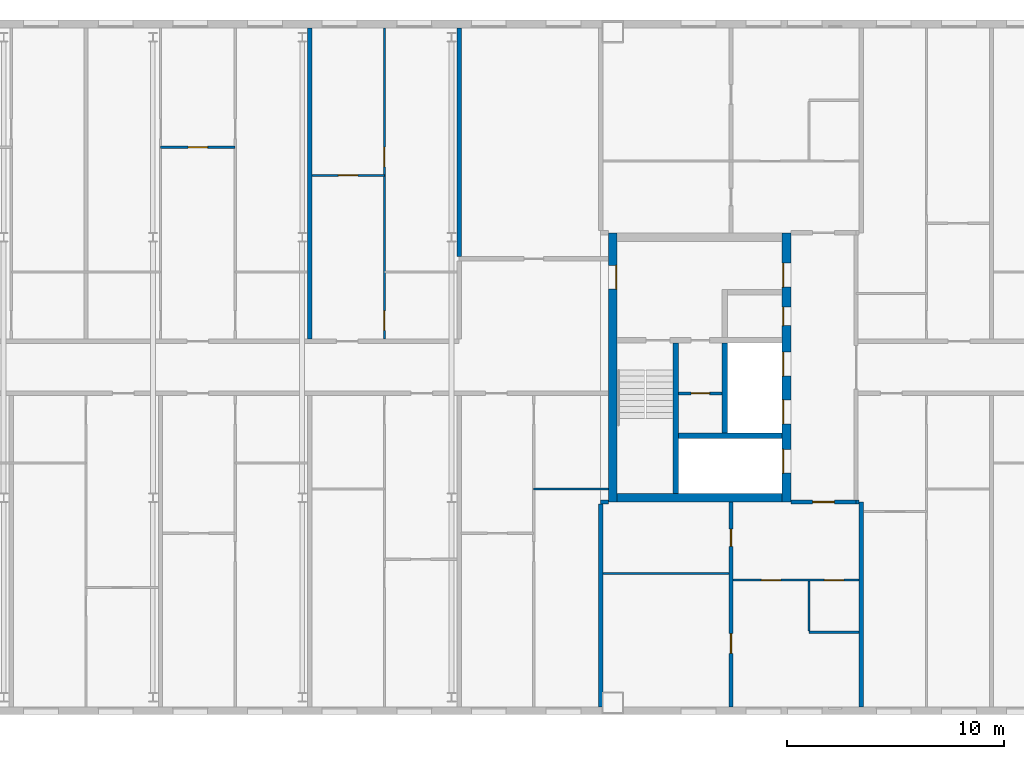
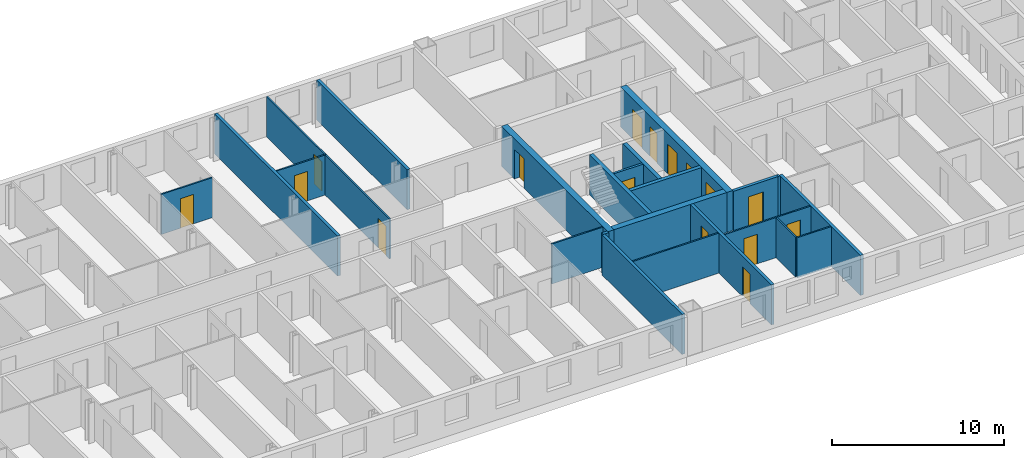
# One storey, part 13 of 19: 23 walls, 16 doors, 16 openings.
"""IFC4 building model written with IfcOpenShell, lengths in metres."""

from ifc_helpers import new_model, si_unit, direction, frame, frame_2d, origin, place, context, subcontext, project, spatial, rectangle, extrude, material, layer, layer_set, type_object, element, fill, save


model = new_model("IFC4")

# Units and contexts
model_context = context("Model", 3, precision=1e-05, world=origin(), true_north=direction((0.0, 1.0)))
body_context = subcontext(model_context, "Body", "Model", "MODEL_VIEW")
ifc_project = project(units=[si_unit("LENGTHUNIT", "METRE"), si_unit("AREAUNIT", "SQUARE_METRE"), si_unit("VOLUMEUNIT", "CUBIC_METRE"), si_unit("PLANEANGLEUNIT", "RADIAN"), si_unit("MASSUNIT", "GRAM", prefix="KILO")], contexts=[model_context])

# Site, building, storey
site_placement = place(None, origin())
site = spatial("IfcSite", under=ifc_project, at=site_placement, CompositionType="ELEMENT")
building_placement = place(site_placement, origin())
building = spatial("IfcBuilding", under=site, at=building_placement, Name="Tuart Gate Housing", CompositionType="ELEMENT")
storey_placement = place(building_placement, frame((0.0, 0.0, 221.39990234375)))
storey = spatial("IfcBuildingStorey", under=building, at=storey_placement, Name="L62", CompositionType="ELEMENT", Elevation=221.39990234375)

# Wall, opening, door
ifc_material_1 = material(Name="Plasterboard partition")
ifc_layer_1 = layer(ifc_material_1, 0.14990234375)
ifc_layer_set_1 = layer_set([ifc_layer_1], Name="Core partition 150")
wall_type_1 = type_object("IfcWallType", Name="Core partition 150", PredefinedType="PARTITIONING", material=ifc_layer_set_1)
wall_1_placement = place(storey_placement, frame((136.5849609375, 68.800048828125, 0.0), z_axis=(0.0, 0.0, 1.0), x_axis=(-1.0, 0.0, 0.0)))
wall_1 = element("IfcWall", 1, at=wall_1_placement, inside=storey, type_object=wall_type_1, Name="Core partition BG.2", PredefinedType="PARTITIONING", context=body_context, shape_type="SweptSolid", body=[
    extrude(rectangle(XDim=2.0, YDim=0.14990234375, at=frame_2d((1.0, 0.0))), origin(), (0.0, 0.0, 1.0), 2.85009765625),
])
opening_1_placement = place(wall_1_placement, frame((0.574951171875, 0.0, 0.0)))
opening_1 = element("IfcOpeningElement", 2, at=opening_1_placement, cuts=wall_1, Name="Opening D2421", PredefinedType="OPENING", context=body_context, shape_type="SweptSolid", body=[
    extrude(rectangle(XDim=0.85009765625, YDim=2.10009765625, at=frame_2d((0.425048828125, 1.050048828125))), frame((0.0, 0.0849609375, 0.0), z_axis=(0.0, -1.0, 0.0), x_axis=(1.0, 0.0, 0.0)), (0.0, 0.0, 1.0), 0.169921875),
])
ifc_material_2 = material(Name="Steel fire door", Category="steel")
door_type_1 = type_object("IfcDoorType", Name="Service door 850 x 2100 RH", OperationType="SINGLE_SWING_RIGHT", PredefinedType="DOOR", material=ifc_material_2)
door_1_placement = place(opening_1_placement, frame((0.85009765625, 0.0, 0.0), z_axis=(0.0, 0.0, 1.0), x_axis=(-1.0, 0.0, 0.0)))
door_1 = element("IfcDoor", 3, at=door_1_placement, inside=storey, type_object=door_type_1, Name="Service room door BG.W2", OperationType="SINGLE_SWING_RIGHT", OverallHeight=2.10009765625, OverallWidth=0.85009765625, PredefinedType="DOOR", context=body_context, shape_type="SweptSolid", body=[
    extrude(rectangle(XDim=0.85009765625, YDim=2.10009765625, at=frame_2d((0.425048828125, 1.050048828125))), frame((0.0, 0.025146484375, 0.0), z_axis=(0.0, -1.0, 0.0), x_axis=(1.0, 0.0, 0.0)), (0.0, 0.0, 1.0), 0.050048828125),
])
fill(opening_1, door_1)

# Walls
ifc_material_3 = material(Name="Concrete C40", Category="concrete")
ifc_layer_2 = layer(ifc_material_3, 0.25)
ifc_layer_set_2 = layer_set([ifc_layer_2], Name="Core wall 250 C40")
wall_type_2 = type_object("IfcWallType", Name="Core wall 250 C40", PredefinedType="SHEAR", material=ifc_layer_set_2)
wall_2_placement = place(storey_placement, frame((139.360107421875, 66.85009765625, 0.0), z_axis=(0.0, 0.0, 1.0), x_axis=(-1.0, 0.0, 0.0)))
element("IfcWall", 4, at=wall_2_placement, inside=storey, type_object=wall_type_2, Name="Core wall BG.1", PredefinedType="SHEAR", context=body_context, shape_type="SweptSolid", body=[
    extrude(rectangle(XDim=4.775146484375, YDim=0.25, at=frame_2d((2.3876953125, 0.0))), origin(), (0.0, 0.0, 1.0), 2.85009765625),
])
wall_3_placement = place(storey_placement, frame((136.7099609375, 66.97509765625, 0.0), z_axis=(0.0, 0.0, 1.0), x_axis=(0.0, 1.0, 0.0)))
element("IfcWall", 5, at=wall_3_placement, inside=storey, type_object=wall_type_2, Name="Core wall BG.5", PredefinedType="SHEAR", context=body_context, shape_type="SweptSolid", body=[
    extrude(rectangle(XDim=4.14990234375, YDim=0.25, at=frame_2d((2.074951171875, 0.0))), origin(), (0.0, 0.0, 1.0), 2.85009765625),
])
wall_4_placement = place(storey_placement, frame((134.4599609375, 64.199951171875, 0.0), z_axis=(0.0, 0.0, 1.0), x_axis=(0.0, 1.0, 0.0)))
element("IfcWall", 6, at=wall_4_placement, inside=storey, type_object=wall_type_2, Name="Core wall BG.7", PredefinedType="SHEAR", context=body_context, shape_type="SweptSolid", body=[
    extrude(rectangle(XDim=6.925048828125, YDim=0.25, at=frame_2d((3.46240234375, 0.0))), origin(), (0.0, 0.0, 1.0), 2.85009765625),
])

# Wall, openings, doors
ifc_material_4 = material(Name="Concrete C40", Category="concrete")
ifc_layer_3 = layer(ifc_material_4, 0.39990234375)
ifc_layer_set_3 = layer_set([ifc_layer_3], Name="Core wall 400 C40")
wall_type_3 = type_object("IfcWallType", Name="Core wall 400 C40", PredefinedType="SHEAR", material=ifc_layer_set_3)
wall_5_placement = place(storey_placement, frame((139.56005859375, 63.800048828125, 0.0), z_axis=(0.0, 0.0, 1.0), x_axis=(0.0, 1.0, 0.0)))
wall_5 = element("IfcWall", 7, at=wall_5_placement, inside=storey, type_object=wall_type_3, Name="Core wall BG front", PredefinedType="SHEAR", context=body_context, shape_type="SweptSolid", body=[
    extrude(rectangle(XDim=12.39990234375, YDim=0.39990234375, at=frame_2d((6.199951171875, 0.0))), origin(), (0.0, 0.0, 1.0), 2.85009765625),
])
opening_2_placement = place(wall_5_placement, frame((1.324951171875, 0.0, 0.0)))
opening_2 = element("IfcOpeningElement", 8, at=opening_2_placement, cuts=wall_5, Name="Opening LD-FB1", PredefinedType="OPENING", context=body_context, shape_type="SweptSolid", body=[
    extrude(rectangle(XDim=1.10009765625, YDim=2.10009765625, at=frame_2d((0.550048828125, 1.050048828125))), frame((0.0, 0.2099609375, 0.0), z_axis=(0.0, -1.0, 0.0), x_axis=(1.0, 0.0, 0.0)), (0.0, 0.0, 1.0), 0.419921875),
])
opening_3_placement = place(wall_5_placement, frame((3.60009765625, 0.0, 0.0)))
opening_3 = element("IfcOpeningElement", 9, at=opening_3_placement, cuts=wall_5, Name="Opening LD-LB1", PredefinedType="OPENING", context=body_context, shape_type="SweptSolid", body=[
    extrude(rectangle(XDim=1.10009765625, YDim=2.10009765625, at=frame_2d((0.550048828125, 1.050048828125))), frame((0.0, 0.2099609375, 0.0), z_axis=(0.0, -1.0, 0.0), x_axis=(1.0, 0.0, 0.0)), (0.0, 0.0, 1.0), 0.419921875),
])
opening_4_placement = place(wall_5_placement, frame((5.800048828125, 0.0, 0.0)))
opening_4 = element("IfcOpeningElement", 10, at=opening_4_placement, cuts=wall_5, Name="Opening LD-LB2", PredefinedType="OPENING", context=body_context, shape_type="SweptSolid", body=[
    extrude(rectangle(XDim=1.10009765625, YDim=2.10009765625, at=frame_2d((0.550048828125, 1.050048828125))), frame((0.0, 0.2099609375, 0.0), z_axis=(0.0, -1.0, 0.0), x_axis=(1.0, 0.0, 0.0)), (0.0, 0.0, 1.0), 0.419921875),
])
opening_5_placement = place(wall_5_placement, frame((9.89990234375, 0.0, 0.0)))
opening_5 = element("IfcOpeningElement", 11, at=opening_5_placement, cuts=wall_5, Name="Opening D2413", PredefinedType="OPENING", context=body_context, shape_type="SweptSolid", body=[
    extrude(rectangle(XDim=1.10009765625, YDim=2.10009765625, at=frame_2d((0.550048828125, 1.050048828125))), frame((0.0, 0.2099609375, 0.0), z_axis=(0.0, -1.0, 0.0), x_axis=(1.0, 0.0, 0.0)), (0.0, 0.0, 1.0), 0.419921875),
])
opening_6_placement = place(wall_5_placement, frame((8.125, 0.0, 0.0)))
opening_6 = element("IfcOpeningElement", 12, at=opening_6_placement, cuts=wall_5, Name="Opening D2414", PredefinedType="OPENING", context=body_context, shape_type="SweptSolid", body=[
    extrude(rectangle(XDim=0.85009765625, YDim=2.10009765625, at=frame_2d((0.425048828125, 1.050048828125))), frame((0.0, 0.2099609375, 0.0), z_axis=(0.0, -1.0, 0.0), x_axis=(1.0, 0.0, 0.0)), (0.0, 0.0, 1.0), 0.419921875),
])
ifc_material_5 = material(Name="Stainless steel", Category="steel")
door_type_2 = type_object("IfcDoorType", Name="Landing door 1100 x 2100", OperationType="DOUBLE_DOOR_SLIDING", PredefinedType="DOOR", material=ifc_material_5)
door_2_placement = place(opening_2_placement, origin())
door_2 = element("IfcDoor", 13, at=door_2_placement, inside=storey, type_object=door_type_2, Name="Lift landing door FB1", OperationType="DOUBLE_DOOR_SLIDING", OverallHeight=2.10009765625, OverallWidth=1.10009765625, PredefinedType="DOOR", context=body_context, shape_type="SweptSolid", body=[
    extrude(rectangle(XDim=1.10009765625, YDim=2.10009765625, at=frame_2d((0.550048828125, 1.050048828125))), frame((0.0, 0.18505859375, 0.0), z_axis=(0.0, -1.0, 0.0), x_axis=(1.0, 0.0, 0.0)), (0.0, 0.0, 1.0), 0.050048828125),
])
fill(opening_2, door_2)
door_3_placement = place(opening_3_placement, origin())
door_3 = element("IfcDoor", 14, at=door_3_placement, inside=storey, type_object=door_type_2, Name="Lift landing door LB1", OperationType="DOUBLE_DOOR_SLIDING", OverallHeight=2.10009765625, OverallWidth=1.10009765625, PredefinedType="DOOR", context=body_context, shape_type="SweptSolid", body=[
    extrude(rectangle(XDim=1.10009765625, YDim=2.10009765625, at=frame_2d((0.550048828125, 1.050048828125))), frame((0.0, 0.18505859375, 0.0), z_axis=(0.0, -1.0, 0.0), x_axis=(1.0, 0.0, 0.0)), (0.0, 0.0, 1.0), 0.050048828125),
])
fill(opening_3, door_3)
door_4_placement = place(opening_4_placement, origin())
door_4 = element("IfcDoor", 15, at=door_4_placement, inside=storey, type_object=door_type_2, Name="Lift landing door LB2", OperationType="DOUBLE_DOOR_SLIDING", OverallHeight=2.10009765625, OverallWidth=1.10009765625, PredefinedType="DOOR", context=body_context, shape_type="SweptSolid", body=[
    extrude(rectangle(XDim=1.10009765625, YDim=2.10009765625, at=frame_2d((0.550048828125, 1.050048828125))), frame((0.0, 0.18505859375, 0.0), z_axis=(0.0, -1.0, 0.0), x_axis=(1.0, 0.0, 0.0)), (0.0, 0.0, 1.0), 0.050048828125),
])
fill(opening_4, door_4)
ifc_material_6 = material(Name="Steel fire door", Category="steel")
door_type_3 = type_object("IfcDoorType", Name="Lobby door 1100 x 2100", OperationType="SINGLE_SWING_LEFT", PredefinedType="DOOR", material=ifc_material_6)
door_5_placement = place(opening_5_placement, origin())
door_5 = element("IfcDoor", 16, at=door_5_placement, inside=storey, type_object=door_type_3, Name="Lobby entry door BG.EN", OperationType="SINGLE_SWING_LEFT", OverallHeight=2.10009765625, OverallWidth=1.10009765625, PredefinedType="DOOR", context=body_context, shape_type="SweptSolid", body=[
    extrude(rectangle(XDim=1.10009765625, YDim=2.10009765625, at=frame_2d((0.550048828125, 1.050048828125))), frame((0.0, 0.18505859375, 0.0), z_axis=(0.0, -1.0, 0.0), x_axis=(1.0, 0.0, 0.0)), (0.0, 0.0, 1.0), 0.050048828125),
])
fill(opening_5, door_5)
ifc_material_7 = material(Name="Steel fire door", Category="steel")
door_type_4 = type_object("IfcDoorType", Name="Service door 850 x 2100", OperationType="SINGLE_SWING_LEFT", PredefinedType="DOOR", material=ifc_material_7)
door_6_placement = place(opening_6_placement, origin())
door_6 = element("IfcDoor", 17, at=door_6_placement, inside=storey, type_object=door_type_4, Name="Service room door BG.T1", OperationType="SINGLE_SWING_LEFT", OverallHeight=2.10009765625, OverallWidth=0.85009765625, PredefinedType="DOOR", context=body_context, shape_type="SweptSolid", body=[
    extrude(rectangle(XDim=0.85009765625, YDim=2.10009765625, at=frame_2d((0.425048828125, 1.050048828125))), frame((0.0, 0.18505859375, 0.0), z_axis=(0.0, -1.0, 0.0), x_axis=(1.0, 0.0, 0.0)), (0.0, 0.0, 1.0), 0.050048828125),
])
fill(opening_6, door_6)

# Wall, opening, door
wall_6_placement = place(storey_placement, frame((131.56005859375, 63.800048828125, 0.0), z_axis=(0.0, 0.0, 1.0), x_axis=(0.0, 1.0, 0.0)))
wall_6 = element("IfcWall", 18, at=wall_6_placement, inside=storey, type_object=wall_type_3, Name="Core wall BG back", PredefinedType="SHEAR", context=body_context, shape_type="SweptSolid", body=[
    extrude(rectangle(XDim=12.39990234375, YDim=0.39990234375, at=frame_2d((6.199951171875, 0.0))), origin(), (0.0, 0.0, 1.0), 2.85009765625),
])
opening_7_placement = place(wall_6_placement, frame((9.800048828125, 0.0, 0.0)))
opening_7 = element("IfcOpeningElement", 19, at=opening_7_placement, cuts=wall_6, Name="Opening D2412", PredefinedType="OPENING", context=body_context, shape_type="SweptSolid", body=[
    extrude(rectangle(XDim=1.10009765625, YDim=2.10009765625, at=frame_2d((0.550048828125, 1.050048828125))), frame((0.0, 0.2099609375, 0.0), z_axis=(0.0, -1.0, 0.0), x_axis=(1.0, 0.0, 0.0)), (0.0, 0.0, 1.0), 0.419921875),
])
door_7_placement = place(opening_7_placement, frame((1.10009765625, 0.0, 0.0), z_axis=(0.0, 0.0, 1.0), x_axis=(-1.0, 0.0, 0.0)))
door_7 = element("IfcDoor", 20, at=door_7_placement, inside=storey, type_object=door_type_3, Name="Link door BG.LK", OperationType="SINGLE_SWING_LEFT", OverallHeight=2.10009765625, OverallWidth=1.10009765625, PredefinedType="DOOR", context=body_context, shape_type="SweptSolid", body=[
    extrude(rectangle(XDim=1.10009765625, YDim=2.10009765625, at=frame_2d((0.550048828125, 1.050048828125))), frame((0.0, 0.184814453125, 0.0), z_axis=(0.0, -1.0, 0.0), x_axis=(1.0, 0.0, 0.0)), (0.0, 0.0, 1.0), 0.050048828125),
])
fill(opening_7, door_7)

# Wall
wall_7_placement = place(storey_placement, frame((139.360107421875, 64.0, 0.0), z_axis=(0.0, 0.0, 1.0), x_axis=(-1.0, 0.0, 0.0)))
element("IfcWall", 21, at=wall_7_placement, inside=storey, type_object=wall_type_3, Name="Core wall BG south", PredefinedType="SHEAR", context=body_context, shape_type="SweptSolid", body=[
    extrude(rectangle(XDim=7.60009765625, YDim=0.39990234375, at=frame_2d((3.800048828125, 0.0))), origin(), (0.0, 0.0, 1.0), 2.85009765625),
])

# Wall, opening, door
ifc_material_8 = material(Name="Concrete masonry 15 MPa", Category="masonry")
ifc_layer_4 = layer(ifc_material_8, 0.199951171875)
ifc_layer_set_4 = layer_set([ifc_layer_4], Name="Enclosure wall masonry 200")
wall_type_4 = type_object("IfcWallType", Name="Enclosure wall masonry 200", PredefinedType="PARTITIONING", material=ifc_layer_set_4)
wall_8_placement = place(storey_placement, frame((139.760009765625, 63.800048828125, 0.0), z_axis=(0.0, 0.0, 1.0), x_axis=(1.0, 0.0, 0.0)))
wall_8 = element("IfcWall", 22, at=wall_8_placement, inside=storey, type_object=wall_type_4, Name="Enclosure wall masonry 200", PredefinedType="PARTITIONING", context=body_context, shape_type="SweptSolid", body=[
    extrude(rectangle(XDim=3.0, YDim=0.199951171875, at=frame_2d((1.5, 0.0))), origin(), (0.0, 0.0, 1.0), 2.85009765625),
])
opening_8_placement = place(wall_8_placement, frame((1.0, 0.0, 0.0)))
opening_8 = element("IfcOpeningElement", 23, at=opening_8_placement, cuts=wall_8, Name="Opening D2426", PredefinedType="OPENING", context=body_context, shape_type="SweptSolid", body=[
    extrude(rectangle(XDim=1.0, YDim=2.10009765625, at=frame_2d((0.5, 1.050048828125))), frame((0.0, 0.10986328125, 0.0), z_axis=(0.0, -1.0, 0.0), x_axis=(1.0, 0.0, 0.0)), (0.0, 0.0, 1.0), 0.219970703125),
])
ifc_material_9 = material(Name="Timber door leaf in steel frame", Category="steel")
door_type_5 = type_object("IfcDoorType", Name="Flat entrance door 1000", OperationType="SINGLE_SWING_LEFT", PredefinedType="DOOR", material=ifc_material_9)
door_8_placement = place(opening_8_placement, frame((1.0, 0.0, 0.0), z_axis=(0.0, 0.0, 1.0), x_axis=(-1.0, 0.0, 0.0)))
door_8 = element("IfcDoor", 24, at=door_8_placement, inside=storey, type_object=door_type_5, Name="Flat entrance door", OperationType="SINGLE_SWING_LEFT", OverallHeight=2.10009765625, OverallWidth=1.0, PredefinedType="DOOR", context=body_context, shape_type="SweptSolid", body=[
    extrude(rectangle(XDim=1.0, YDim=2.10009765625, at=frame_2d((0.5, 1.050048828125))), frame((0.0, 0.025146484375, 0.0), z_axis=(0.0, -1.0, 0.0), x_axis=(1.0, 0.0, 0.0)), (0.0, 0.0, 1.0), 0.050048828125),
])
fill(opening_8, door_8)

# Wall
ifc_material_10 = material(Name="Gypsum board on steel studs", Category="steel")
ifc_layer_5 = layer(ifc_material_10, 0.10009765625)
ifc_layer_set_5 = layer_set([ifc_layer_5], Name="Partition 100")
wall_type_5 = type_object("IfcWallType", Name="Partition 100", PredefinedType="PARTITIONING", material=ifc_layer_set_5)
wall_9_placement = place(storey_placement, frame((140.60009765625, 57.800048828125, 0.0), z_axis=(0.0, 0.0, 1.0), x_axis=(1.0, 0.0, 0.0)))
element("IfcWall", 25, at=wall_9_placement, inside=storey, type_object=wall_type_5, Name="Partition 100", PredefinedType="PARTITIONING", context=body_context, shape_type="SweptSolid", body=[
    extrude(rectangle(XDim=2.2998046875, YDim=0.10009765625, at=frame_2d((1.14990234375, 0.0))), origin(), (0.0, 0.0, 1.0), 2.85009765625),
])

# Wall, openings, doors
wall_10_placement = place(storey_placement, frame((137.10009765625, 60.199951171875, 0.0), z_axis=(0.0, 0.0, 1.0), x_axis=(1.0, 0.0, 0.0)))
wall_10 = element("IfcWall", 26, at=wall_10_placement, inside=storey, type_object=wall_type_5, Name="Partition 100", PredefinedType="PARTITIONING", context=body_context, shape_type="SweptSolid", body=[
    extrude(rectangle(XDim=5.7998046875, YDim=0.10009765625, at=frame_2d((2.89990234375, 0.0))), origin(), (0.0, 0.0, 1.0), 2.85009765625),
])
opening_9_placement = place(wall_10_placement, frame((1.300048828125, 0.0, 0.0)))
opening_9 = element("IfcOpeningElement", 27, at=opening_9_placement, cuts=wall_10, Name="Opening D2435", PredefinedType="OPENING", context=body_context, shape_type="SweptSolid", body=[
    extrude(rectangle(XDim=0.89990234375, YDim=2.10009765625, at=frame_2d((0.449951171875, 1.050048828125))), frame((0.0, 0.06005859375, 0.0), z_axis=(0.0, -1.0, 0.0), x_axis=(1.0, 0.0, 0.0)), (0.0, 0.0, 1.0), 0.1201171875),
])
opening_10_placement = place(wall_10_placement, frame((4.199951171875, 0.0, 0.0)))
opening_10 = element("IfcOpeningElement", 28, at=opening_10_placement, cuts=wall_10, Name="Opening D2434", PredefinedType="OPENING", context=body_context, shape_type="SweptSolid", body=[
    extrude(rectangle(XDim=0.89990234375, YDim=2.10009765625, at=frame_2d((0.449951171875, 1.050048828125))), frame((0.0, 0.06005859375, 0.0), z_axis=(0.0, -1.0, 0.0), x_axis=(1.0, 0.0, 0.0)), (0.0, 0.0, 1.0), 0.1201171875),
])
ifc_material_11 = material(Name="Timber door leaf in steel frame", Category="steel")
door_type_6 = type_object("IfcDoorType", Name="Bathroom door 900 RH", OperationType="SINGLE_SWING_RIGHT", PredefinedType="DOOR", material=ifc_material_11)
door_9_placement = place(opening_10_placement, frame((0.89990234375, 0.0, 0.0), z_axis=(0.0, 0.0, 1.0), x_axis=(-1.0, 0.0, 0.0)))
door_9 = element("IfcDoor", 29, at=door_9_placement, inside=storey, type_object=door_type_6, Name="Bathroom door", OperationType="SINGLE_SWING_RIGHT", OverallHeight=2.10009765625, OverallWidth=0.89990234375, PredefinedType="DOOR", context=body_context, shape_type="SweptSolid", body=[
    extrude(rectangle(XDim=0.89990234375, YDim=2.10009765625, at=frame_2d((0.449951171875, 1.050048828125))), frame((0.0, 0.025146484375, 0.0), z_axis=(0.0, -1.0, 0.0), x_axis=(1.0, 0.0, 0.0)), (0.0, 0.0, 1.0), 0.050048828125),
])
fill(opening_10, door_9)
ifc_material_12 = material(Name="Timber door leaf in steel frame", Category="steel")
door_type_7 = type_object("IfcDoorType", Name="Internal door 900", OperationType="SINGLE_SWING_LEFT", PredefinedType="DOOR", material=ifc_material_12)
door_10_placement = place(opening_9_placement, origin())
door_10 = element("IfcDoor", 30, at=door_10_placement, inside=storey, type_object=door_type_7, Name="Internal door", OperationType="SINGLE_SWING_LEFT", OverallHeight=2.10009765625, OverallWidth=0.89990234375, PredefinedType="DOOR", context=body_context, shape_type="SweptSolid", body=[
    extrude(rectangle(XDim=0.89990234375, YDim=2.10009765625, at=frame_2d((0.449951171875, 1.050048828125))), frame((0.0, 0.02490234375, 0.0), z_axis=(0.0, -1.0, 0.0), x_axis=(1.0, 0.0, 0.0)), (0.0, 0.0, 1.0), 0.050048828125),
])
fill(opening_9, door_10)

# Walls
wall_11_placement = place(storey_placement, frame((131.10009765625, 60.5, 0.0), z_axis=(0.0, 0.0, 1.0), x_axis=(1.0, 0.0, 0.0)))
element("IfcWall", 31, at=wall_11_placement, inside=storey, type_object=wall_type_5, Name="Partition 100", PredefinedType="PARTITIONING", context=body_context, shape_type="SweptSolid", body=[
    extrude(rectangle(XDim=5.7998046875, YDim=0.10009765625, at=frame_2d((2.89990234375, 0.0))), origin(), (0.0, 0.0, 1.0), 2.85009765625),
])
wall_12_placement = place(storey_placement, frame((127.912109375, 64.39990234375, 0.0), z_axis=(0.0, 0.0, 1.0), x_axis=(1.0, 0.0, 0.0)))
element("IfcWall", 32, at=wall_12_placement, inside=storey, type_object=wall_type_5, Name="Partition 100", PredefinedType="PARTITIONING", context=body_context, shape_type="SweptSolid", body=[
    extrude(rectangle(XDim=3.447998046875, YDim=0.10009765625, at=frame_2d((1.72412109375, 0.0))), origin(), (0.0, 0.0, 1.0), 2.85009765625),
])

# Wall, opening, door
wall_13_placement = place(storey_placement, frame((117.699951171875, 78.840087890625, 0.0), z_axis=(0.0, 0.0, 1.0), x_axis=(1.0, 0.0, 0.0)))
wall_13 = element("IfcWall", 33, at=wall_13_placement, inside=storey, type_object=wall_type_5, Name="Partition 100", PredefinedType="PARTITIONING", context=body_context, shape_type="SweptSolid", body=[
    extrude(rectangle(XDim=3.337158203125, YDim=0.10009765625, at=frame_2d((1.66845703125, 0.0))), origin(), (0.0, 0.0, 1.0), 2.85009765625),
])
opening_11_placement = place(wall_13_placement, frame((1.218505859375, 0.0, 0.0)))
opening_11 = element("IfcOpeningElement", 34, at=opening_11_placement, cuts=wall_13, Name="Opening D2335", PredefinedType="OPENING", context=body_context, shape_type="SweptSolid", body=[
    extrude(rectangle(XDim=0.89990234375, YDim=2.10009765625, at=frame_2d((0.449951171875, 1.050048828125))), frame((0.0, 0.06005859375, 0.0), z_axis=(0.0, -1.0, 0.0), x_axis=(1.0, 0.0, 0.0)), (0.0, 0.0, 1.0), 0.1201171875),
])
door_11_placement = place(opening_11_placement, frame((0.89990234375, 0.0, 0.0), z_axis=(0.0, 0.0, 1.0), x_axis=(-1.0, 0.0, 0.0)))
door_11 = element("IfcDoor", 35, at=door_11_placement, inside=storey, type_object=door_type_7, Name="Internal door", OperationType="SINGLE_SWING_LEFT", OverallHeight=2.10009765625, OverallWidth=0.89990234375, PredefinedType="DOOR", context=body_context, shape_type="SweptSolid", body=[
    extrude(rectangle(XDim=0.89990234375, YDim=2.10009765625, at=frame_2d((0.449951171875, 1.050048828125))), frame((0.0, 0.025146484375, 0.0), z_axis=(0.0, -1.0, 0.0), x_axis=(1.0, 0.0, 0.0)), (0.0, 0.0, 1.0), 0.050048828125),
])
fill(opening_11, door_11)

wall_14_placement = place(storey_placement, frame((110.72509765625, 80.139892578125, 0.0), z_axis=(0.0, 0.0, 1.0), x_axis=(1.0, 0.0, 0.0)))
wall_14 = element("IfcWall", 36, at=wall_14_placement, inside=storey, type_object=wall_type_5, Name="Partition 100", PredefinedType="PARTITIONING", context=body_context, shape_type="SweptSolid", body=[
    extrude(rectangle(XDim=3.43701171875, YDim=0.10009765625, at=frame_2d((1.718505859375, 0.0))), origin(), (0.0, 0.0, 1.0), 2.85009765625),
])
opening_12_placement = place(wall_14_placement, frame((1.2685546875, 0.0, 0.0)))
opening_12 = element("IfcOpeningElement", 37, at=opening_12_placement, cuts=wall_14, Name="Opening D2334", PredefinedType="OPENING", context=body_context, shape_type="SweptSolid", body=[
    extrude(rectangle(XDim=0.89990234375, YDim=2.10009765625, at=frame_2d((0.449951171875, 1.050048828125))), frame((0.0, 0.06005859375, 0.0), z_axis=(0.0, -1.0, 0.0), x_axis=(1.0, 0.0, 0.0)), (0.0, 0.0, 1.0), 0.1201171875),
])
ifc_material_13 = material(Name="Timber door leaf in steel frame", Category="steel")
door_type_8 = type_object("IfcDoorType", Name="Internal door 900 RH", OperationType="SINGLE_SWING_RIGHT", PredefinedType="DOOR", material=ifc_material_13)
door_12_placement = place(opening_12_placement, frame((0.89990234375, 0.0, 0.0), z_axis=(0.0, 0.0, 1.0), x_axis=(-1.0, 0.0, 0.0)))
door_12 = element("IfcDoor", 38, at=door_12_placement, inside=storey, type_object=door_type_8, Name="Internal door", OperationType="SINGLE_SWING_RIGHT", OverallHeight=2.10009765625, OverallWidth=0.89990234375, PredefinedType="DOOR", context=body_context, shape_type="SweptSolid", body=[
    extrude(rectangle(XDim=0.89990234375, YDim=2.10009765625, at=frame_2d((0.449951171875, 1.050048828125))), frame((0.0, 0.025146484375, 0.0), z_axis=(0.0, -1.0, 0.0), x_axis=(1.0, 0.0, 0.0)), (0.0, 0.0, 1.0), 0.050048828125),
])
fill(opening_12, door_12)

# Wall, openings, doors
wall_15_placement = place(storey_placement, frame((121.037109375, 71.300048828125, 0.0), z_axis=(0.0, 0.0, 1.0), x_axis=(0.0, 1.0, 0.0)))
wall_15 = element("IfcWall", 39, at=wall_15_placement, inside=storey, type_object=wall_type_5, Name="Partition 100", PredefinedType="PARTITIONING", context=body_context, shape_type="SweptSolid", body=[
    extrude(rectangle(XDim=14.33984375, YDim=0.10009765625, at=frame_2d((7.169921875, 0.0))), origin(), (0.0, 0.0, 1.0), 2.85009765625),
])
opening_13_placement = place(wall_15_placement, frame((7.93994140625, 0.0, 0.0)))
opening_13 = element("IfcOpeningElement", 40, at=opening_13_placement, cuts=wall_15, Name="Opening D2349", PredefinedType="OPENING", context=body_context, shape_type="SweptSolid", body=[
    extrude(rectangle(XDim=0.89990234375, YDim=2.10009765625, at=frame_2d((0.449951171875, 1.050048828125))), frame((0.0, 0.06005859375, 0.0), z_axis=(0.0, -1.0, 0.0), x_axis=(1.0, 0.0, 0.0)), (0.0, 0.0, 1.0), 0.1201171875),
])
opening_14_placement = place(wall_15_placement, frame((0.39990234375, 0.0, 0.0)))
opening_14 = element("IfcOpeningElement", 41, at=opening_14_placement, cuts=wall_15, Name="Opening D2348", PredefinedType="OPENING", context=body_context, shape_type="SweptSolid", body=[
    extrude(rectangle(XDim=0.89990234375, YDim=2.10009765625, at=frame_2d((0.449951171875, 1.050048828125))), frame((0.0, 0.06005859375, 0.0), z_axis=(0.0, -1.0, 0.0), x_axis=(1.0, 0.0, 0.0)), (0.0, 0.0, 1.0), 0.1201171875),
])
door_13_placement = place(opening_14_placement, frame((0.89990234375, 0.0, 0.0), z_axis=(0.0, 0.0, 1.0), x_axis=(-1.0, 0.0, 0.0)))
door_13 = element("IfcDoor", 42, at=door_13_placement, inside=storey, type_object=door_type_6, Name="Bathroom door", OperationType="SINGLE_SWING_RIGHT", OverallHeight=2.10009765625, OverallWidth=0.89990234375, PredefinedType="DOOR", context=body_context, shape_type="SweptSolid", body=[
    extrude(rectangle(XDim=0.89990234375, YDim=2.10009765625, at=frame_2d((0.449951171875, 1.050048828125))), frame((0.0, 0.025146484375, 0.0), z_axis=(0.0, -1.0, 0.0), x_axis=(1.0, 0.0, 0.0)), (0.0, 0.0, 1.0), 0.050048828125),
])
fill(opening_14, door_13)
door_14_placement = place(opening_13_placement, frame((0.89990234375, 0.0, 0.0), z_axis=(0.0, 0.0, 1.0), x_axis=(-1.0, 0.0, 0.0)))
door_14 = element("IfcDoor", 43, at=door_14_placement, inside=storey, type_object=door_type_8, Name="Internal door", OperationType="SINGLE_SWING_RIGHT", OverallHeight=2.10009765625, OverallWidth=0.89990234375, PredefinedType="DOOR", context=body_context, shape_type="SweptSolid", body=[
    extrude(rectangle(XDim=0.89990234375, YDim=2.10009765625, at=frame_2d((0.449951171875, 1.050048828125))), frame((0.0, 0.025146484375, 0.0), z_axis=(0.0, -1.0, 0.0), x_axis=(1.0, 0.0, 0.0)), (0.0, 0.0, 1.0), 0.050048828125),
])
fill(opening_13, door_14)

# Wall
wall_16_placement = place(storey_placement, frame((140.60009765625, 57.85009765625, 0.0), z_axis=(0.0, 0.0, 1.0), x_axis=(0.0, 1.0, 0.0)))
element("IfcWall", 44, at=wall_16_placement, inside=storey, type_object=wall_type_5, Name="Partition 100", PredefinedType="PARTITIONING", context=body_context, shape_type="SweptSolid", body=[
    extrude(rectangle(XDim=2.2998046875, YDim=0.10009765625, at=frame_2d((1.14990234375, 0.0))), origin(), (0.0, 0.0, 1.0), 2.85009765625),
])

# Wall, openings, doors
ifc_material_14 = material(Name="Concrete C40", Category="concrete")
ifc_layer_6 = layer(ifc_material_14, 0.199951171875)
ifc_layer_set_6 = layer_set([ifc_layer_6], Name="Party wall concrete C40 200")
wall_type_6 = type_object("IfcWallType", Name="Party wall concrete C40 200", PredefinedType="SOLIDWALL", material=ifc_layer_set_6)
wall_17_placement = place(storey_placement, frame((137.0, 54.360107421875, 0.0), z_axis=(0.0, 0.0, 1.0), x_axis=(0.0, 1.0, 0.0)))
wall_17 = element("IfcWall", 45, at=wall_17_placement, inside=storey, type_object=wall_type_6, Name="Party wall concrete C40 200", PredefinedType="SOLIDWALL", context=body_context, shape_type="SweptSolid", body=[
    extrude(rectangle(XDim=9.43994140625, YDim=0.199951171875, at=frame_2d((4.719970703125, 0.0))), origin(), (0.0, 0.0, 1.0), 2.85009765625),
])
opening_15_placement = place(wall_17_placement, frame((2.469970703125, 0.0, 0.0)))
opening_15 = element("IfcOpeningElement", 46, at=opening_15_placement, cuts=wall_17, Name="Opening D2438", PredefinedType="OPENING", context=body_context, shape_type="SweptSolid", body=[
    extrude(rectangle(XDim=0.89990234375, YDim=2.10009765625, at=frame_2d((0.449951171875, 1.050048828125))), frame((0.0, 0.10986328125, 0.0), z_axis=(0.0, -1.0, 0.0), x_axis=(1.0, 0.0, 0.0)), (0.0, 0.0, 1.0), 0.219970703125),
])
opening_16_placement = place(wall_17_placement, frame((7.389892578125, 0.0, 0.0)))
opening_16 = element("IfcOpeningElement", 47, at=opening_16_placement, cuts=wall_17, Name="Opening D2439", PredefinedType="OPENING", context=body_context, shape_type="SweptSolid", body=[
    extrude(rectangle(XDim=0.800048828125, YDim=2.10009765625, at=frame_2d((0.39990234375, 1.050048828125))), frame((0.0, 0.10986328125, 0.0), z_axis=(0.0, -1.0, 0.0), x_axis=(1.0, 0.0, 0.0)), (0.0, 0.0, 1.0), 0.219970703125),
])
door_15_placement = place(opening_15_placement, origin())
door_15 = element("IfcDoor", 48, at=door_15_placement, inside=storey, type_object=door_type_7, Name="Internal door", OperationType="SINGLE_SWING_LEFT", OverallHeight=2.10009765625, OverallWidth=0.89990234375, PredefinedType="DOOR", context=body_context, shape_type="SweptSolid", body=[
    extrude(rectangle(XDim=0.89990234375, YDim=2.10009765625, at=frame_2d((0.449951171875, 1.050048828125))), frame((0.0, 0.02490234375, 0.0), z_axis=(0.0, -1.0, 0.0), x_axis=(1.0, 0.0, 0.0)), (0.0, 0.0, 1.0), 0.050048828125),
])
fill(opening_15, door_15)
ifc_material_15 = material(Name="Timber door leaf in steel frame", Category="steel")
door_type_9 = type_object("IfcDoorType", Name="Store door 800", OperationType="SINGLE_SWING_LEFT", PredefinedType="DOOR", material=ifc_material_15)
door_16_placement = place(opening_16_placement, origin())
door_16 = element("IfcDoor", 49, at=door_16_placement, inside=storey, type_object=door_type_9, Name="Store door", OperationType="SINGLE_SWING_LEFT", OverallHeight=2.10009765625, OverallWidth=0.800048828125, PredefinedType="DOOR", context=body_context, shape_type="SweptSolid", body=[
    extrude(rectangle(XDim=0.800048828125, YDim=2.10009765625, at=frame_2d((0.39990234375, 1.050048828125))), frame((0.0, 0.02490234375, 0.0), z_axis=(0.0, -1.0, 0.0), x_axis=(1.0, 0.0, 0.0)), (0.0, 0.0, 1.0), 0.050048828125),
])
fill(opening_16, door_16)

# Walls
wall_18_placement = place(storey_placement, frame((143.0, 54.360107421875, 0.0), z_axis=(0.0, 0.0, 1.0), x_axis=(0.0, 1.0, 0.0)))
element("IfcWall", 50, at=wall_18_placement, inside=storey, type_object=wall_type_6, Name="Party wall concrete C40 200", PredefinedType="SOLIDWALL", context=body_context, shape_type="SweptSolid", body=[
    extrude(rectangle(XDim=9.43994140625, YDim=0.199951171875, at=frame_2d((4.719970703125, 0.0))), origin(), (0.0, 0.0, 1.0), 2.85009765625),
])
ifc_material_16 = material(Name="Concrete masonry 15 MPa", Category="masonry")
ifc_layer_7 = layer(ifc_material_16, 0.199951171875)
ifc_layer_set_7 = layer_set([ifc_layer_7], Name="Party wall masonry 200")
wall_type_7 = type_object("IfcWallType", Name="Party wall masonry 200", PredefinedType="PARTITIONING", material=ifc_layer_set_7)
wall_19_placement = place(storey_placement, frame((131.0, 63.800048828125, 0.0), z_axis=(0.0, 0.0, 1.0), x_axis=(1.0, 0.0, 0.0)))
element("IfcWall", 51, at=wall_19_placement, inside=storey, type_object=wall_type_7, Name="Party wall masonry 200", PredefinedType="PARTITIONING", context=body_context, shape_type="SweptSolid", body=[
    extrude(rectangle(XDim=0.360107421875, YDim=0.199951171875, at=frame_2d((0.18017578125, 0.0))), origin(), (0.0, 0.0, 1.0), 2.85009765625),
])
wall_20_placement = place(storey_placement, frame((142.760009765625, 63.800048828125, 0.0), z_axis=(0.0, 0.0, 1.0), x_axis=(1.0, 0.0, 0.0)))
element("IfcWall", 52, at=wall_20_placement, inside=storey, type_object=wall_type_7, Name="Party wall masonry 200", PredefinedType="PARTITIONING", context=body_context, shape_type="SweptSolid", body=[
    extrude(rectangle(XDim=0.139892578125, YDim=0.199951171875, at=frame_2d((0.06982421875, 0.0))), origin(), (0.0, 0.0, 1.0), 2.85009765625),
])
wall_21_placement = place(storey_placement, frame((117.60009765625, 71.300048828125, 0.0), z_axis=(0.0, 0.0, 1.0), x_axis=(0.0, 1.0, 0.0)))
element("IfcWall", 53, at=wall_21_placement, inside=storey, type_object=wall_type_7, Name="Party wall masonry 200", PredefinedType="PARTITIONING", context=body_context, shape_type="SweptSolid", body=[
    extrude(rectangle(XDim=14.33984375, YDim=0.199951171875, at=frame_2d((7.169921875, 0.0))), origin(), (0.0, 0.0, 1.0), 2.85009765625),
])
wall_22_placement = place(storey_placement, frame((124.47509765625, 75.10009765625, 0.0), z_axis=(0.0, 0.0, 1.0), x_axis=(0.0, 1.0, 0.0)))
element("IfcWall", 54, at=wall_22_placement, inside=storey, type_object=wall_type_7, Name="Party wall masonry 200", PredefinedType="PARTITIONING", context=body_context, shape_type="SweptSolid", body=[
    extrude(rectangle(XDim=10.539794921875, YDim=0.199951171875, at=frame_2d((5.27001953125, 0.0))), origin(), (0.0, 0.0, 1.0), 2.85009765625),
])
wall_23_placement = place(storey_placement, frame((131.0, 54.360107421875, 0.0), z_axis=(0.0, 0.0, 1.0), x_axis=(0.0, 1.0, 0.0)))
element("IfcWall", 55, at=wall_23_placement, inside=storey, type_object=wall_type_7, Name="Party wall masonry 200", PredefinedType="PARTITIONING", context=body_context, shape_type="SweptSolid", body=[
    extrude(rectangle(XDim=9.33984375, YDim=0.199951171875, at=frame_2d((4.669921875, 0.0))), origin(), (0.0, 0.0, 1.0), 2.85009765625),
])

save(model, "model.ifc")
